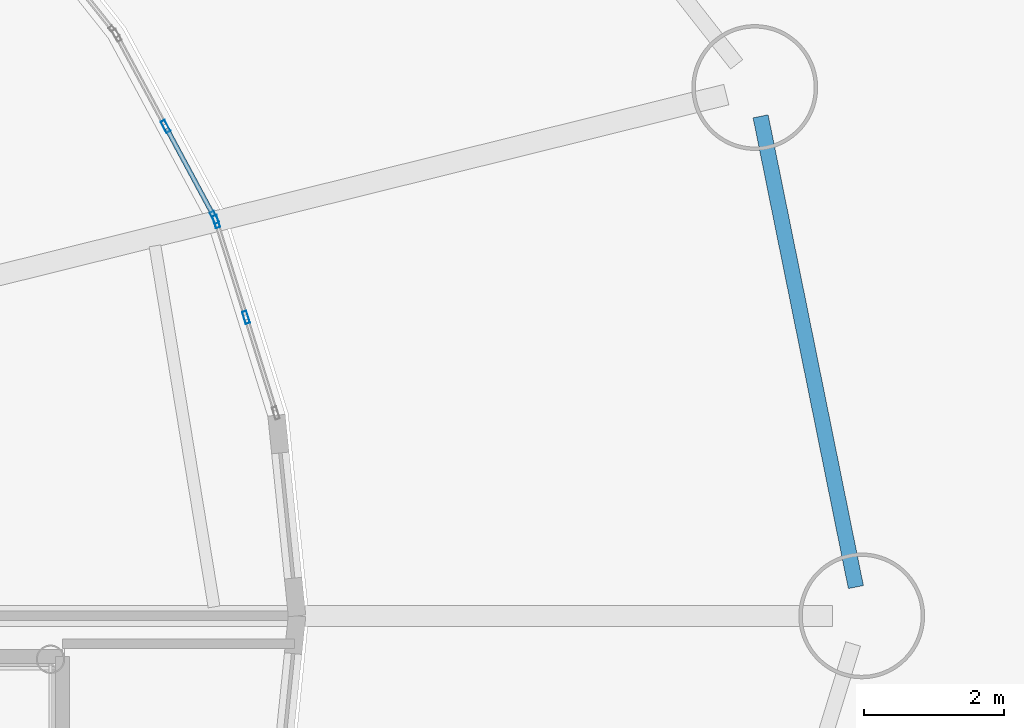
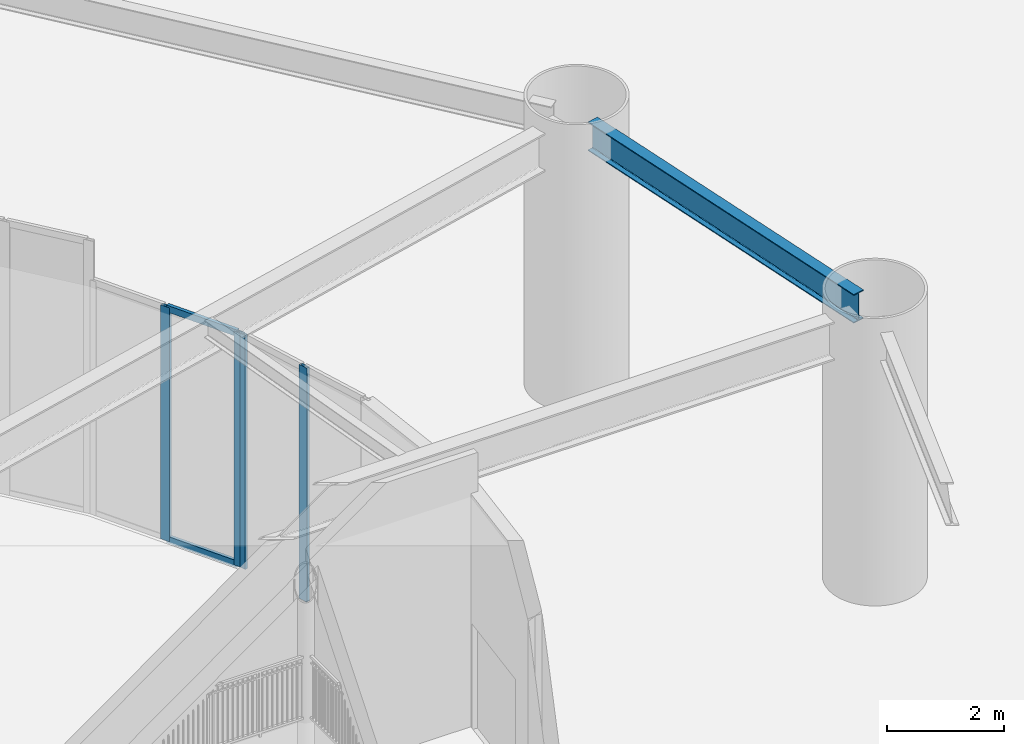
# One storey, part 18 of 46: 6 members, 1 beam, 2 elements without a shape of their own.
"""IFC4 building model written with IfcOpenShell, lengths in metres."""

from ifc_helpers import new_model, si_unit, direction, frame, origin, origin_2d, place, context, subcontext, project, spatial, hollow_rectangle, i_section, extrude, source, transform, mapped, material, layer, layer_set, material_profile, profile_set, type_object, element, aggregate, save


model = new_model("IFC4")

# Units and contexts
model_context = context("Model", 3, precision=1e-05, world=origin(), true_north=direction((0.0, 1.0)))
body_context = subcontext(model_context, "Body", "Model", "MODEL_VIEW")
ifc_project = project(units=[si_unit("LENGTHUNIT", "METRE"), si_unit("AREAUNIT", "SQUARE_METRE"), si_unit("VOLUMEUNIT", "CUBIC_METRE"), si_unit("PLANEANGLEUNIT", "RADIAN"), si_unit("MASSUNIT", "GRAM", prefix="KILO")], contexts=[model_context])

# Site, building, storey
site_placement = place(None, origin())
site = spatial("IfcSite", under=ifc_project, at=site_placement, CompositionType="ELEMENT")
building_placement = place(site_placement, origin())
building = spatial("IfcBuilding", under=site, at=building_placement, Name="Linh Dai School and Residence Tower", CompositionType="ELEMENT")
storey_placement = place(building_placement, origin())
storey = spatial("IfcBuildingStorey", under=building, at=storey_placement, Name="L00", CompositionType="ELEMENT", Elevation=0.0)

# Beam
ifc_material_1 = material(Name="Structural Steel S355JR", Category="steel")
ifc_material_profile_1 = material_profile(ifc_material_1, i_section(OverallWidth=0.219970703125, OverallDepth=0.60009765625, WebThickness=0.011962890625, FlangeThickness=0.01904296875, FilletRadius=0.02392578125, at=origin_2d()), Name="IPE 600")
ifc_profile_set_1 = profile_set([ifc_material_profile_1], Name="Structural Steel S355JR")
beam_type = type_object("IfcBeamType", Name="BM-RB60", PredefinedType="BEAM", material=ifc_profile_set_1)
beam_placement = place(storey_placement, frame((67.86669921875, 27.41162109375, 5.39990234375), z_axis=(-0.198405440792, 0.980120034008, 0.0), x_axis=(-0.980120034008, -0.198405440792, 0.0)))
element("IfcBeam", 1, at=beam_placement, inside=storey, type_object=beam_type, Name="L00 Perimeter Elliptical Ring Beam 01", PredefinedType="BEAM", context=body_context, shape_type="SweptSolid", body=[
    extrude(i_section(OverallWidth=0.219970703125, OverallDepth=0.60009765625, WebThickness=0.011962890625, FlangeThickness=0.01904296875, FilletRadius=0.02392578125, at=origin_2d()), origin(), (0.0, 0.0, 1.0), 6.86865234375),
])

# Curtain wall, members
ifc_material_2 = material(Name="Aluminium Anodised Curtain Wall", Category="aluminium")
ifc_layer = layer(ifc_material_2, 0.179931640625)
ifc_layer_set = layer_set([ifc_layer], Name="Aluminium Anodised Curtain Wall")
curtain_wall_type = type_object("IfcCurtainWallType", Name="CW-SYS-1", PredefinedType="USERDEFINED", material=ifc_layer_set)
curtain_wall_1_placement = place(storey_placement, origin())
curtain_wall_1 = element("IfcCurtainWall", 2, at=curtain_wall_1_placement, inside=storey, type_object=curtain_wall_type, Name="L00 CW1 Curtain Wall 02", ObjectType="UNITISED CURTAIN WALL", PredefinedType="USERDEFINED")
ifc_material_3 = material(Name="Aluminium Alloy 6063-T6", Category="aluminium")
ifc_material_profile_2 = material_profile(ifc_material_3, hollow_rectangle(XDim=0.06494140625, YDim=0.179931640625, WallThickness=0.00390625, at=origin_2d()), Name="RHS 180x65x4")
ifc_profile_set_2 = profile_set([ifc_material_profile_2], Name="Aluminium Alloy 6063-T6")
member_type_1 = type_object("IfcMemberType", Name="CW-SYS-1-MUL", PredefinedType="MULLION", material=ifc_profile_set_2)
shared_shape_1 = source(origin(), body_context, "Body", "SweptSolid", [
    extrude(hollow_rectangle(XDim=0.06494140625, YDim=0.179931640625, WallThickness=0.00390625, at=origin_2d()), origin(), (0.0, 0.0, 1.0), 4.885009765625),
])
member_1_placement = place(storey_placement, frame((58.7197265625, 32.63720703125, 0.0), z_axis=(0.0, 0.0, 1.0), x_axis=(0.954760777829, 0.297374943665, 0.0)))
member_1 = element("IfcMember", 3, at=member_1_placement, type_object=member_type_1, Name="CW1 mullion 1", PredefinedType="MULLION", context=body_context, shape_type="MappedRepresentation", body=[
    mapped(shared_shape_1, transform((0.0, 0.0, 0.0), x_axis=(1.0, 0.0, 0.0), y_axis=(0.0, 1.0, 0.0), z_axis=(0.0, 0.0, 1.0), scale=1.0)),
])
member_2_placement = place(storey_placement, frame((59.146240234375, 31.2685546875, 0.0), z_axis=(0.0, 0.0, 1.0), x_axis=(0.954760777829, 0.297374943665, 0.0)))
member_2 = element("IfcMember", 4, at=member_2_placement, type_object=member_type_1, Name="CW1 mullion 2", PredefinedType="MULLION", context=body_context, shape_type="MappedRepresentation", body=[
    mapped(shared_shape_1, transform((0.0, 0.0, 0.0), x_axis=(1.0, 0.0, 0.0), y_axis=(0.0, 1.0, 0.0), z_axis=(0.0, 0.0, 1.0), scale=1.0)),
])
aggregate(curtain_wall_1, [member_1, member_2])

curtain_wall_2_placement = place(storey_placement, origin())
curtain_wall_2 = element("IfcCurtainWall", 5, at=curtain_wall_2_placement, inside=storey, type_object=curtain_wall_type, Name="L00 CW1 Curtain Wall 03", ObjectType="UNITISED CURTAIN WALL", PredefinedType="USERDEFINED")
member_3_placement = place(storey_placement, frame((57.9951171875, 33.9990234375, 0.0), z_axis=(0.0, 0.0, 1.0), x_axis=(0.880871524135, 0.473355424568, 0.0)))
member_3 = element("IfcMember", 6, at=member_3_placement, type_object=member_type_1, Name="CW1 mullion 2", PredefinedType="MULLION", context=body_context, shape_type="MappedRepresentation", body=[
    mapped(shared_shape_1, transform((0.0, 0.0, 0.0), x_axis=(1.0, 0.0, 0.0), y_axis=(0.0, 1.0, 0.0), z_axis=(0.0, 0.0, 1.0), scale=1.0)),
])
member_4_placement = place(storey_placement, frame((58.69482421875, 32.69677734375, 0.0), z_axis=(0.0, 0.0, 1.0), x_axis=(0.880871524135, 0.473355424568, 0.0)))
member_4 = element("IfcMember", 7, at=member_4_placement, type_object=member_type_1, Name="CW1 mullion 3", PredefinedType="MULLION", context=body_context, shape_type="MappedRepresentation", body=[
    mapped(shared_shape_1, transform((0.0, 0.0, 0.0), x_axis=(1.0, 0.0, 0.0), y_axis=(0.0, 1.0, 0.0), z_axis=(0.0, 0.0, 1.0), scale=1.0)),
])
ifc_material_profile_3 = material_profile(ifc_material_3, hollow_rectangle(XDim=0.06494140625, YDim=0.139892578125, WallThickness=0.00390625, at=origin_2d()), Name="RHS 140x65x4")
ifc_profile_set_3 = profile_set([ifc_material_profile_3], Name="Aluminium Alloy 6063-T6")
member_type_2 = type_object("IfcMemberType", Name="CW-SYS-1-TRN", PredefinedType="USERDEFINED", material=ifc_profile_set_3)
shared_shape_2 = source(origin(), body_context, "Body", "SweptSolid", [
    extrude(hollow_rectangle(XDim=0.06494140625, YDim=0.139892578125, WallThickness=0.00390625, at=origin_2d()), origin(), (0.0, 0.0, 1.0), 1.413330078125),
])
member_5_placement = place(storey_placement, frame((58.010498046875, 33.970458984375, 0.032470703125), z_axis=(0.473347612857, -0.880875721883, 0.0), x_axis=(0.880875721883, 0.473347612857, 0.0)))
member_5 = element("IfcMember", 8, at=member_5_placement, type_object=member_type_2, Name="CW1 transom 2.1", ObjectType="TRANSOM", PredefinedType="USERDEFINED", context=body_context, shape_type="MappedRepresentation", body=[
    mapped(shared_shape_2, transform((0.0, 0.0, 0.0), x_axis=(1.0, 0.0, 0.0), y_axis=(0.0, 1.0, 0.0), z_axis=(0.0, 0.0, 1.0), scale=1.0)),
])
member_6_placement = place(storey_placement, frame((58.010498046875, 33.970458984375, 4.8525390625), z_axis=(0.473347612857, -0.880875721883, 0.0), x_axis=(0.880875721883, 0.473347612857, 0.0)))
member_6 = element("IfcMember", 9, at=member_6_placement, type_object=member_type_2, Name="CW1 transom 2.2", ObjectType="TRANSOM", PredefinedType="USERDEFINED", context=body_context, shape_type="MappedRepresentation", body=[
    mapped(shared_shape_2, transform((0.0, 0.0, 0.0), x_axis=(1.0, 0.0, 0.0), y_axis=(0.0, 1.0, 0.0), z_axis=(0.0, 0.0, 1.0), scale=1.0)),
])
aggregate(curtain_wall_2, [member_3, member_4, member_5, member_6])

save(model, "model.ifc")
